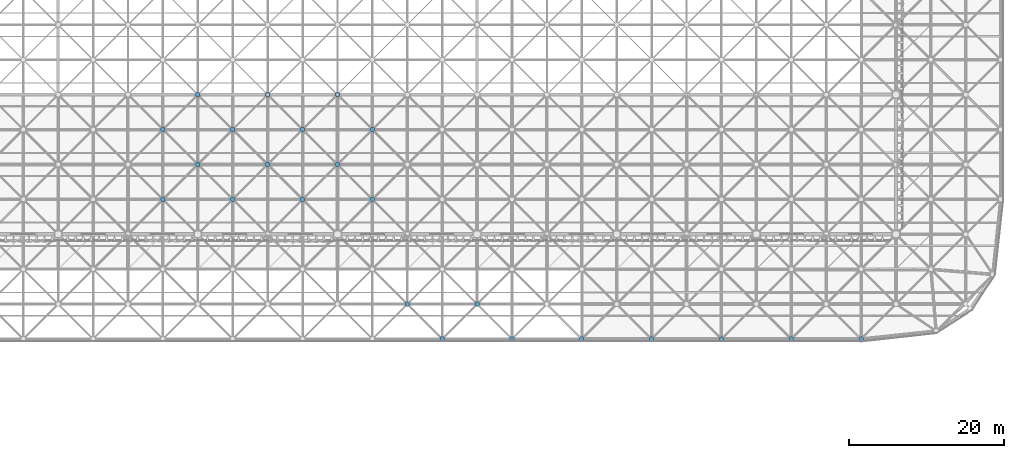
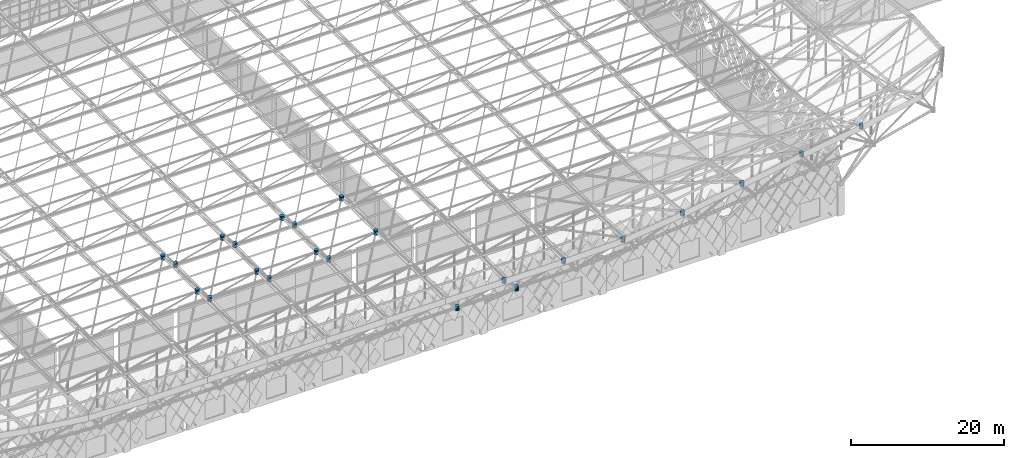
# One storey, part 302 of 437: 23 discrete accessories.
"""IFC4 building model written with IfcOpenShell, lengths in metres."""

from ifc_helpers import new_model, si_unit, direction, frame, origin, place, context, subcontext, project, spatial, polyline, outline, extrude, material, type_object, element, save


model = new_model("IFC4")

# Units and contexts
model_context = context("Model", 3, precision=1e-05, world=origin(), true_north=direction((0.0, 1.0)))
body_context = subcontext(model_context, "Body", "Model", "MODEL_VIEW")
ifc_project = project(units=[si_unit("LENGTHUNIT", "METRE"), si_unit("AREAUNIT", "SQUARE_METRE"), si_unit("VOLUMEUNIT", "CUBIC_METRE"), si_unit("PLANEANGLEUNIT", "RADIAN"), si_unit("MASSUNIT", "GRAM", prefix="KILO")], contexts=[model_context])

# Site, building, storey
site_placement = place(None, origin())
site = spatial("IfcSite", under=ifc_project, at=site_placement, CompositionType="ELEMENT")
building_placement = place(site_placement, origin())
building = spatial("IfcBuilding", under=site, at=building_placement, Name="Opaline Strait Convention Centre", CompositionType="ELEMENT")
storey_placement = place(building_placement, frame((0.0, 0.0, 11.5)))
storey = spatial("IfcBuildingStorey", under=building, at=storey_placement, Name="L02", CompositionType="ELEMENT", Elevation=11.5)

# Discrete accessories
ifc_material = material(Name="Cast steel ZG300-500H (300 MPa)", Category="steel")
discrete_accessory_type = type_object("IfcDiscreteAccessoryType", Name="Space frame node hub D600", PredefinedType="USERDEFINED", material=ifc_material)
discrete_accessory_1_placement = place(storey_placement, frame((0.0, 0.0, 17.611572265625)))
element("IfcDiscreteAccessory", 1, at=discrete_accessory_1_placement, inside=storey, type_object=discrete_accessory_type, Name="Top node 10/3", ObjectType="NODE HUB", PredefinedType="USERDEFINED", context=body_context, shape_type="SweptSolid", body=[
    extrude(outline(polyline([(166.800048828125, 58.559814453125), (166.75439453125, 58.669921875), (166.669921875, 58.75439453125), (166.559814453125, 58.800048828125), (166.440185546875, 58.800048828125), (166.330078125, 58.75439453125), (166.24560546875, 58.669921875), (166.199951171875, 58.559814453125), (166.199951171875, 58.440185546875), (166.24560546875, 58.330078125), (166.330078125, 58.24560546875), (166.440185546875, 58.199951171875), (166.559814453125, 58.199951171875), (166.669921875, 58.24560546875), (166.75439453125, 58.330078125), (166.800048828125, 58.440185546875), (166.800048828125, 58.559814453125)])), origin(), (0.0, 0.0, 1.0), 0.719970703125),
])
discrete_accessory_2_placement = place(storey_placement, frame((0.0, 0.0, 17.611572265625)))
element("IfcDiscreteAccessory", 2, at=discrete_accessory_2_placement, inside=storey, type_object=discrete_accessory_type, Name="Top node 10/4", ObjectType="NODE HUB", PredefinedType="USERDEFINED", context=body_context, shape_type="SweptSolid", body=[
    extrude(outline(polyline([(166.800048828125, 67.559814453125), (166.75439453125, 67.669921875), (166.669921875, 67.75439453125), (166.559814453125, 67.800048828125), (166.440185546875, 67.800048828125), (166.330078125, 67.75439453125), (166.24560546875, 67.669921875), (166.199951171875, 67.559814453125), (166.199951171875, 67.440185546875), (166.24560546875, 67.330078125), (166.330078125, 67.24560546875), (166.440185546875, 67.199951171875), (166.559814453125, 67.199951171875), (166.669921875, 67.24560546875), (166.75439453125, 67.330078125), (166.800048828125, 67.440185546875), (166.800048828125, 67.559814453125)])), origin(), (0.0, 0.0, 1.0), 0.719970703125),
])
discrete_accessory_3_placement = place(storey_placement, frame((0.0, 0.0, 17.611572265625)))
element("IfcDiscreteAccessory", 3, at=discrete_accessory_3_placement, inside=storey, type_object=discrete_accessory_type, Name="Top node 11/3", ObjectType="NODE HUB", PredefinedType="USERDEFINED", context=body_context, shape_type="SweptSolid", body=[
    extrude(outline(polyline([(175.800048828125, 58.559814453125), (175.75439453125, 58.669921875), (175.669921875, 58.75439453125), (175.559814453125, 58.800048828125), (175.440185546875, 58.800048828125), (175.330078125, 58.75439453125), (175.24560546875, 58.669921875), (175.199951171875, 58.559814453125), (175.199951171875, 58.440185546875), (175.24560546875, 58.330078125), (175.330078125, 58.24560546875), (175.440185546875, 58.199951171875), (175.559814453125, 58.199951171875), (175.669921875, 58.24560546875), (175.75439453125, 58.330078125), (175.800048828125, 58.440185546875), (175.800048828125, 58.559814453125)])), origin(), (0.0, 0.0, 1.0), 0.719970703125),
])
discrete_accessory_4_placement = place(storey_placement, frame((0.0, 0.0, 17.611572265625)))
element("IfcDiscreteAccessory", 4, at=discrete_accessory_4_placement, inside=storey, type_object=discrete_accessory_type, Name="Top node 11/4", ObjectType="NODE HUB", PredefinedType="USERDEFINED", context=body_context, shape_type="SweptSolid", body=[
    extrude(outline(polyline([(175.800048828125, 67.559814453125), (175.75439453125, 67.669921875), (175.669921875, 67.75439453125), (175.559814453125, 67.800048828125), (175.440185546875, 67.800048828125), (175.330078125, 67.75439453125), (175.24560546875, 67.669921875), (175.199951171875, 67.559814453125), (175.199951171875, 67.440185546875), (175.24560546875, 67.330078125), (175.330078125, 67.24560546875), (175.440185546875, 67.199951171875), (175.559814453125, 67.199951171875), (175.669921875, 67.24560546875), (175.75439453125, 67.330078125), (175.800048828125, 67.440185546875), (175.800048828125, 67.559814453125)])), origin(), (0.0, 0.0, 1.0), 0.719970703125),
])
discrete_accessory_5_placement = place(storey_placement, frame((0.0, 0.0, 17.611572265625)))
element("IfcDiscreteAccessory", 5, at=discrete_accessory_5_placement, inside=storey, type_object=discrete_accessory_type, Name="Top node 12/3", ObjectType="NODE HUB", PredefinedType="USERDEFINED", context=body_context, shape_type="SweptSolid", body=[
    extrude(outline(polyline([(184.800048828125, 58.559814453125), (184.75439453125, 58.669921875), (184.669921875, 58.75439453125), (184.559814453125, 58.800048828125), (184.440185546875, 58.800048828125), (184.330078125, 58.75439453125), (184.24560546875, 58.669921875), (184.199951171875, 58.559814453125), (184.199951171875, 58.440185546875), (184.24560546875, 58.330078125), (184.330078125, 58.24560546875), (184.440185546875, 58.199951171875), (184.559814453125, 58.199951171875), (184.669921875, 58.24560546875), (184.75439453125, 58.330078125), (184.800048828125, 58.440185546875), (184.800048828125, 58.559814453125)])), origin(), (0.0, 0.0, 1.0), 0.719970703125),
])
discrete_accessory_6_placement = place(storey_placement, frame((0.0, 0.0, 17.611572265625)))
element("IfcDiscreteAccessory", 6, at=discrete_accessory_6_placement, inside=storey, type_object=discrete_accessory_type, Name="Top node 12/4", ObjectType="NODE HUB", PredefinedType="USERDEFINED", context=body_context, shape_type="SweptSolid", body=[
    extrude(outline(polyline([(184.800048828125, 67.559814453125), (184.75439453125, 67.669921875), (184.669921875, 67.75439453125), (184.559814453125, 67.800048828125), (184.440185546875, 67.800048828125), (184.330078125, 67.75439453125), (184.24560546875, 67.669921875), (184.199951171875, 67.559814453125), (184.199951171875, 67.440185546875), (184.24560546875, 67.330078125), (184.330078125, 67.24560546875), (184.440185546875, 67.199951171875), (184.559814453125, 67.199951171875), (184.669921875, 67.24560546875), (184.75439453125, 67.330078125), (184.800048828125, 67.440185546875), (184.800048828125, 67.559814453125)])), origin(), (0.0, 0.0, 1.0), 0.719970703125),
])
discrete_accessory_7_placement = place(storey_placement, frame((0.0, 0.0, 17.611572265625)))
element("IfcDiscreteAccessory", 7, at=discrete_accessory_7_placement, inside=storey, type_object=discrete_accessory_type, Name="Top node 13/3", ObjectType="NODE HUB", PredefinedType="USERDEFINED", context=body_context, shape_type="SweptSolid", body=[
    extrude(outline(polyline([(193.800048828125, 58.559814453125), (193.75439453125, 58.669921875), (193.669921875, 58.75439453125), (193.559814453125, 58.800048828125), (193.440185546875, 58.800048828125), (193.330078125, 58.75439453125), (193.24560546875, 58.669921875), (193.199951171875, 58.559814453125), (193.199951171875, 58.440185546875), (193.24560546875, 58.330078125), (193.330078125, 58.24560546875), (193.440185546875, 58.199951171875), (193.559814453125, 58.199951171875), (193.669921875, 58.24560546875), (193.75439453125, 58.330078125), (193.800048828125, 58.440185546875), (193.800048828125, 58.559814453125)])), origin(), (0.0, 0.0, 1.0), 0.719970703125),
])
discrete_accessory_8_placement = place(storey_placement, frame((0.0, 0.0, 17.611572265625)))
element("IfcDiscreteAccessory", 8, at=discrete_accessory_8_placement, inside=storey, type_object=discrete_accessory_type, Name="Top node 13/4", ObjectType="NODE HUB", PredefinedType="USERDEFINED", context=body_context, shape_type="SweptSolid", body=[
    extrude(outline(polyline([(193.800048828125, 67.559814453125), (193.75439453125, 67.669921875), (193.669921875, 67.75439453125), (193.559814453125, 67.800048828125), (193.440185546875, 67.800048828125), (193.330078125, 67.75439453125), (193.24560546875, 67.669921875), (193.199951171875, 67.559814453125), (193.199951171875, 67.440185546875), (193.24560546875, 67.330078125), (193.330078125, 67.24560546875), (193.440185546875, 67.199951171875), (193.559814453125, 67.199951171875), (193.669921875, 67.24560546875), (193.75439453125, 67.330078125), (193.800048828125, 67.440185546875), (193.800048828125, 67.559814453125)])), origin(), (0.0, 0.0, 1.0), 0.719970703125),
])
discrete_accessory_9_placement = place(storey_placement, frame((0.0, 0.0, 17.611572265625)))
element("IfcDiscreteAccessory", 9, at=discrete_accessory_9_placement, inside=storey, type_object=discrete_accessory_type, Name="Top node 14/1", ObjectType="NODE HUB", PredefinedType="USERDEFINED", context=body_context, shape_type="SweptSolid", body=[
    extrude(outline(polyline([(202.800048828125, 40.559814453125), (202.75439453125, 40.669921875), (202.669921875, 40.75439453125), (202.559814453125, 40.800048828125), (202.440185546875, 40.800048828125), (202.330078125, 40.75439453125), (202.24560546875, 40.669921875), (202.199951171875, 40.559814453125), (202.199951171875, 40.440185546875), (202.24560546875, 40.330078125), (202.330078125, 40.24560546875), (202.440185546875, 40.199951171875), (202.559814453125, 40.199951171875), (202.669921875, 40.24560546875), (202.75439453125, 40.330078125), (202.800048828125, 40.440185546875), (202.800048828125, 40.559814453125)])), origin(), (0.0, 0.0, 1.0), 0.719970703125),
])
discrete_accessory_10_placement = place(storey_placement, frame((0.0, 0.0, 17.611572265625)))
element("IfcDiscreteAccessory", 10, at=discrete_accessory_10_placement, inside=storey, type_object=discrete_accessory_type, Name="Top node 15/1", ObjectType="NODE HUB", PredefinedType="USERDEFINED", context=body_context, shape_type="SweptSolid", body=[
    extrude(outline(polyline([(211.800048828125, 40.559814453125), (211.75439453125, 40.669921875), (211.669921875, 40.75439453125), (211.559814453125, 40.800048828125), (211.440185546875, 40.800048828125), (211.330078125, 40.75439453125), (211.24560546875, 40.669921875), (211.199951171875, 40.559814453125), (211.199951171875, 40.440185546875), (211.24560546875, 40.330078125), (211.330078125, 40.24560546875), (211.440185546875, 40.199951171875), (211.559814453125, 40.199951171875), (211.669921875, 40.24560546875), (211.75439453125, 40.330078125), (211.800048828125, 40.440185546875), (211.800048828125, 40.559814453125)])), origin(), (0.0, 0.0, 1.0), 0.719970703125),
])
discrete_accessory_11_placement = place(storey_placement, frame((0.0, 0.0, 17.8642578125)))
element("IfcDiscreteAccessory", 11, at=discrete_accessory_11_placement, inside=storey, type_object=discrete_accessory_type, Name="Top node 16/1", ObjectType="NODE HUB", PredefinedType="USERDEFINED", context=body_context, shape_type="SweptSolid", body=[
    extrude(outline(polyline([(220.800048828125, 40.559814453125), (220.75439453125, 40.669921875), (220.669921875, 40.75439453125), (220.559814453125, 40.800048828125), (220.440185546875, 40.800048828125), (220.330078125, 40.75439453125), (220.24560546875, 40.669921875), (220.199951171875, 40.559814453125), (220.199951171875, 40.440185546875), (220.24560546875, 40.330078125), (220.330078125, 40.24560546875), (220.440185546875, 40.199951171875), (220.559814453125, 40.199951171875), (220.669921875, 40.24560546875), (220.75439453125, 40.330078125), (220.800048828125, 40.440185546875), (220.800048828125, 40.559814453125)])), origin(), (0.0, 0.0, 1.0), 0.719970703125),
])
discrete_accessory_12_placement = place(storey_placement, frame((0.0, 0.0, 18.951416015625)))
element("IfcDiscreteAccessory", 12, at=discrete_accessory_12_placement, inside=storey, type_object=discrete_accessory_type, Name="Top node 17/1", ObjectType="NODE HUB", PredefinedType="USERDEFINED", context=body_context, shape_type="SweptSolid", body=[
    extrude(outline(polyline([(229.800048828125, 40.559814453125), (229.75439453125, 40.669921875), (229.669921875, 40.75439453125), (229.559814453125, 40.800048828125), (229.440185546875, 40.800048828125), (229.330078125, 40.75439453125), (229.24560546875, 40.669921875), (229.199951171875, 40.559814453125), (229.199951171875, 40.440185546875), (229.24560546875, 40.330078125), (229.330078125, 40.24560546875), (229.440185546875, 40.199951171875), (229.559814453125, 40.199951171875), (229.669921875, 40.24560546875), (229.75439453125, 40.330078125), (229.800048828125, 40.440185546875), (229.800048828125, 40.559814453125)])), origin(), (0.0, 0.0, 1.0), 0.719970703125),
])
discrete_accessory_13_placement = place(storey_placement, frame((0.0, 0.0, 20.478759765625)))
element("IfcDiscreteAccessory", 13, at=discrete_accessory_13_placement, inside=storey, type_object=discrete_accessory_type, Name="Top node 18/1", ObjectType="NODE HUB", PredefinedType="USERDEFINED", context=body_context, shape_type="SweptSolid", body=[
    extrude(outline(polyline([(238.800048828125, 40.559814453125), (238.75439453125, 40.669921875), (238.669921875, 40.75439453125), (238.559814453125, 40.800048828125), (238.440185546875, 40.800048828125), (238.330078125, 40.75439453125), (238.24560546875, 40.669921875), (238.199951171875, 40.559814453125), (238.199951171875, 40.440185546875), (238.24560546875, 40.330078125), (238.330078125, 40.24560546875), (238.440185546875, 40.199951171875), (238.559814453125, 40.199951171875), (238.669921875, 40.24560546875), (238.75439453125, 40.330078125), (238.800048828125, 40.440185546875), (238.800048828125, 40.559814453125)])), origin(), (0.0, 0.0, 1.0), 0.719970703125),
])
discrete_accessory_14_placement = place(storey_placement, frame((0.0, 0.0, 22.0634765625)))
element("IfcDiscreteAccessory", 14, at=discrete_accessory_14_placement, inside=storey, type_object=discrete_accessory_type, Name="Top node 19/1", ObjectType="NODE HUB", PredefinedType="USERDEFINED", context=body_context, shape_type="SweptSolid", body=[
    extrude(outline(polyline([(247.800048828125, 40.559814453125), (247.75439453125, 40.669921875), (247.669921875, 40.75439453125), (247.559814453125, 40.800048828125), (247.440185546875, 40.800048828125), (247.330078125, 40.75439453125), (247.24560546875, 40.669921875), (247.199951171875, 40.559814453125), (247.199951171875, 40.440185546875), (247.24560546875, 40.330078125), (247.330078125, 40.24560546875), (247.440185546875, 40.199951171875), (247.559814453125, 40.199951171875), (247.669921875, 40.24560546875), (247.75439453125, 40.330078125), (247.800048828125, 40.440185546875), (247.800048828125, 40.559814453125)])), origin(), (0.0, 0.0, 1.0), 0.719970703125),
])
discrete_accessory_15_placement = place(storey_placement, frame((0.0, 0.0, 23.408203125)))
element("IfcDiscreteAccessory", 15, at=discrete_accessory_15_placement, inside=storey, type_object=discrete_accessory_type, Name="Top node 20/1", ObjectType="NODE HUB", PredefinedType="USERDEFINED", context=body_context, shape_type="SweptSolid", body=[
    extrude(outline(polyline([(256.800048828125, 40.559814453125), (256.75439453125, 40.669921875), (256.669921875, 40.75439453125), (256.559814453125, 40.800048828125), (256.440185546875, 40.800048828125), (256.330078125, 40.75439453125), (256.24560546875, 40.669921875), (256.199951171875, 40.559814453125), (256.199951171875, 40.440185546875), (256.24560546875, 40.330078125), (256.330078125, 40.24560546875), (256.440185546875, 40.199951171875), (256.559814453125, 40.199951171875), (256.669921875, 40.24560546875), (256.75439453125, 40.330078125), (256.800048828125, 40.440185546875), (256.800048828125, 40.559814453125)])), origin(), (0.0, 0.0, 1.0), 0.719970703125),
])
discrete_accessory_16_placement = place(storey_placement, frame((0.0, 0.0, 12.139892578125)))
element("IfcDiscreteAccessory", 16, at=discrete_accessory_16_placement, inside=storey, type_object=discrete_accessory_type, Name="Bottom node 10/3", ObjectType="NODE HUB", PredefinedType="USERDEFINED", context=body_context, shape_type="SweptSolid", body=[
    extrude(outline(polyline([(171.300048828125, 63.059814453125), (171.25439453125, 63.169921875), (171.169921875, 63.25439453125), (171.059814453125, 63.300048828125), (170.940185546875, 63.300048828125), (170.830078125, 63.25439453125), (170.74560546875, 63.169921875), (170.699951171875, 63.059814453125), (170.699951171875, 62.940185546875), (170.74560546875, 62.830078125), (170.830078125, 62.74560546875), (170.940185546875, 62.699951171875), (171.059814453125, 62.699951171875), (171.169921875, 62.74560546875), (171.25439453125, 62.830078125), (171.300048828125, 62.940185546875), (171.300048828125, 63.059814453125)])), origin(), (0.0, 0.0, 1.0), 0.72021484375),
])
discrete_accessory_17_placement = place(storey_placement, frame((0.0, 0.0, 12.139892578125)))
element("IfcDiscreteAccessory", 17, at=discrete_accessory_17_placement, inside=storey, type_object=discrete_accessory_type, Name="Bottom node 10/4", ObjectType="NODE HUB", PredefinedType="USERDEFINED", context=body_context, shape_type="SweptSolid", body=[
    extrude(outline(polyline([(171.300048828125, 72.059814453125), (171.25439453125, 72.169921875), (171.169921875, 72.25439453125), (171.059814453125, 72.300048828125), (170.940185546875, 72.300048828125), (170.830078125, 72.25439453125), (170.74560546875, 72.169921875), (170.699951171875, 72.059814453125), (170.699951171875, 71.940185546875), (170.74560546875, 71.830078125), (170.830078125, 71.74560546875), (170.940185546875, 71.699951171875), (171.059814453125, 71.699951171875), (171.169921875, 71.74560546875), (171.25439453125, 71.830078125), (171.300048828125, 71.940185546875), (171.300048828125, 72.059814453125)])), origin(), (0.0, 0.0, 1.0), 0.72021484375),
])
discrete_accessory_18_placement = place(storey_placement, frame((0.0, 0.0, 12.139892578125)))
element("IfcDiscreteAccessory", 18, at=discrete_accessory_18_placement, inside=storey, type_object=discrete_accessory_type, Name="Bottom node 11/3", ObjectType="NODE HUB", PredefinedType="USERDEFINED", context=body_context, shape_type="SweptSolid", body=[
    extrude(outline(polyline([(180.300048828125, 63.059814453125), (180.25439453125, 63.169921875), (180.169921875, 63.25439453125), (180.059814453125, 63.300048828125), (179.940185546875, 63.300048828125), (179.830078125, 63.25439453125), (179.74560546875, 63.169921875), (179.699951171875, 63.059814453125), (179.699951171875, 62.940185546875), (179.74560546875, 62.830078125), (179.830078125, 62.74560546875), (179.940185546875, 62.699951171875), (180.059814453125, 62.699951171875), (180.169921875, 62.74560546875), (180.25439453125, 62.830078125), (180.300048828125, 62.940185546875), (180.300048828125, 63.059814453125)])), origin(), (0.0, 0.0, 1.0), 0.72021484375),
])
discrete_accessory_19_placement = place(storey_placement, frame((0.0, 0.0, 12.139892578125)))
element("IfcDiscreteAccessory", 19, at=discrete_accessory_19_placement, inside=storey, type_object=discrete_accessory_type, Name="Bottom node 11/4", ObjectType="NODE HUB", PredefinedType="USERDEFINED", context=body_context, shape_type="SweptSolid", body=[
    extrude(outline(polyline([(180.300048828125, 72.059814453125), (180.25439453125, 72.169921875), (180.169921875, 72.25439453125), (180.059814453125, 72.300048828125), (179.940185546875, 72.300048828125), (179.830078125, 72.25439453125), (179.74560546875, 72.169921875), (179.699951171875, 72.059814453125), (179.699951171875, 71.940185546875), (179.74560546875, 71.830078125), (179.830078125, 71.74560546875), (179.940185546875, 71.699951171875), (180.059814453125, 71.699951171875), (180.169921875, 71.74560546875), (180.25439453125, 71.830078125), (180.300048828125, 71.940185546875), (180.300048828125, 72.059814453125)])), origin(), (0.0, 0.0, 1.0), 0.72021484375),
])
discrete_accessory_20_placement = place(storey_placement, frame((0.0, 0.0, 12.139892578125)))
element("IfcDiscreteAccessory", 20, at=discrete_accessory_20_placement, inside=storey, type_object=discrete_accessory_type, Name="Bottom node 12/3", ObjectType="NODE HUB", PredefinedType="USERDEFINED", context=body_context, shape_type="SweptSolid", body=[
    extrude(outline(polyline([(189.300048828125, 63.059814453125), (189.25439453125, 63.169921875), (189.169921875, 63.25439453125), (189.059814453125, 63.300048828125), (188.940185546875, 63.300048828125), (188.830078125, 63.25439453125), (188.74560546875, 63.169921875), (188.699951171875, 63.059814453125), (188.699951171875, 62.940185546875), (188.74560546875, 62.830078125), (188.830078125, 62.74560546875), (188.940185546875, 62.699951171875), (189.059814453125, 62.699951171875), (189.169921875, 62.74560546875), (189.25439453125, 62.830078125), (189.300048828125, 62.940185546875), (189.300048828125, 63.059814453125)])), origin(), (0.0, 0.0, 1.0), 0.72021484375),
])
discrete_accessory_21_placement = place(storey_placement, frame((0.0, 0.0, 12.139892578125)))
element("IfcDiscreteAccessory", 21, at=discrete_accessory_21_placement, inside=storey, type_object=discrete_accessory_type, Name="Bottom node 12/4", ObjectType="NODE HUB", PredefinedType="USERDEFINED", context=body_context, shape_type="SweptSolid", body=[
    extrude(outline(polyline([(189.300048828125, 72.059814453125), (189.25439453125, 72.169921875), (189.169921875, 72.25439453125), (189.059814453125, 72.300048828125), (188.940185546875, 72.300048828125), (188.830078125, 72.25439453125), (188.74560546875, 72.169921875), (188.699951171875, 72.059814453125), (188.699951171875, 71.940185546875), (188.74560546875, 71.830078125), (188.830078125, 71.74560546875), (188.940185546875, 71.699951171875), (189.059814453125, 71.699951171875), (189.169921875, 71.74560546875), (189.25439453125, 71.830078125), (189.300048828125, 71.940185546875), (189.300048828125, 72.059814453125)])), origin(), (0.0, 0.0, 1.0), 0.72021484375),
])
discrete_accessory_22_placement = place(storey_placement, frame((0.0, 0.0, 12.139892578125)))
element("IfcDiscreteAccessory", 22, at=discrete_accessory_22_placement, inside=storey, type_object=discrete_accessory_type, Name="Bottom node 13/1", ObjectType="NODE HUB", PredefinedType="USERDEFINED", context=body_context, shape_type="SweptSolid", body=[
    extrude(outline(polyline([(198.300048828125, 45.059814453125), (198.25439453125, 45.169921875), (198.169921875, 45.25439453125), (198.059814453125, 45.300048828125), (197.940185546875, 45.300048828125), (197.830078125, 45.25439453125), (197.74560546875, 45.169921875), (197.699951171875, 45.059814453125), (197.699951171875, 44.940185546875), (197.74560546875, 44.830078125), (197.830078125, 44.74560546875), (197.940185546875, 44.699951171875), (198.059814453125, 44.699951171875), (198.169921875, 44.74560546875), (198.25439453125, 44.830078125), (198.300048828125, 44.940185546875), (198.300048828125, 45.059814453125)])), origin(), (0.0, 0.0, 1.0), 0.72021484375),
])
discrete_accessory_23_placement = place(storey_placement, frame((0.0, 0.0, 12.139892578125)))
element("IfcDiscreteAccessory", 23, at=discrete_accessory_23_placement, inside=storey, type_object=discrete_accessory_type, Name="Bottom node 14/1", ObjectType="NODE HUB", PredefinedType="USERDEFINED", context=body_context, shape_type="SweptSolid", body=[
    extrude(outline(polyline([(207.300048828125, 45.059814453125), (207.25439453125, 45.169921875), (207.169921875, 45.25439453125), (207.059814453125, 45.300048828125), (206.940185546875, 45.300048828125), (206.830078125, 45.25439453125), (206.74560546875, 45.169921875), (206.699951171875, 45.059814453125), (206.699951171875, 44.940185546875), (206.74560546875, 44.830078125), (206.830078125, 44.74560546875), (206.940185546875, 44.699951171875), (207.059814453125, 44.699951171875), (207.169921875, 44.74560546875), (207.25439453125, 44.830078125), (207.300048828125, 44.940185546875), (207.300048828125, 45.059814453125)])), origin(), (0.0, 0.0, 1.0), 0.72021484375),
])

save(model, "model.ifc")
